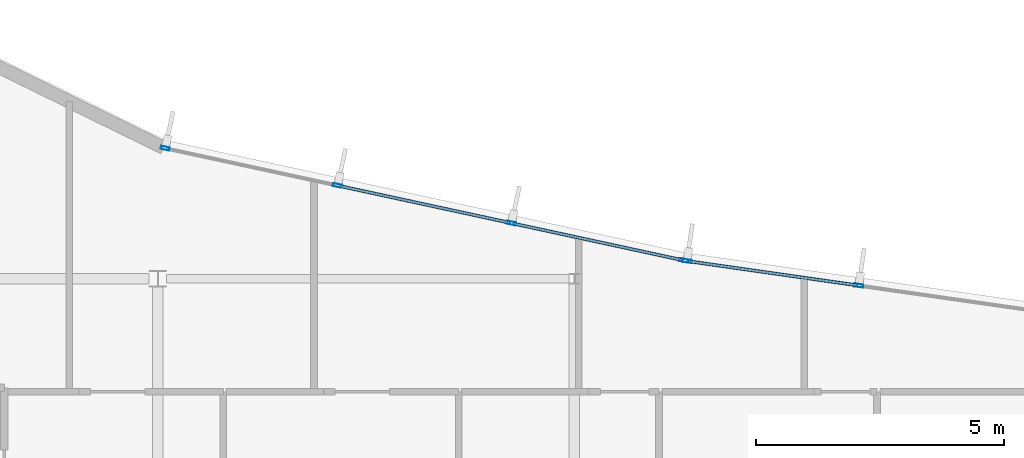
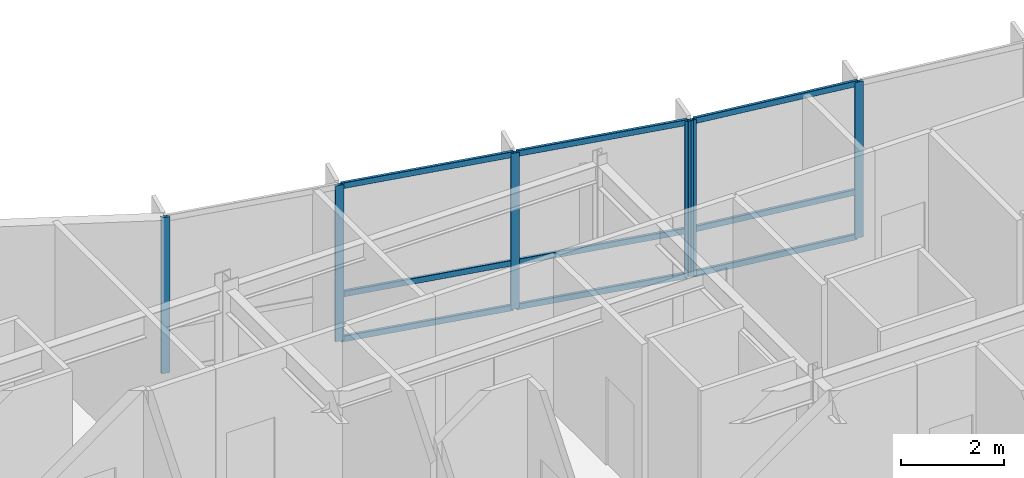
# One storey, part 6 of 16: 15 members, 2 elements without a shape of their own.
"""IFC4 building model written with IfcOpenShell, lengths in metres."""

from ifc_helpers import new_model, si_unit, direction, frame, origin, origin_2d, place, context, subcontext, project, spatial, hollow_rectangle, extrude, material, layer, layer_set, material_profile, profile_set, type_object, element, aggregate, save


model = new_model("IFC4")

# Units and contexts
model_context = context("Model", 3, precision=1e-05, world=origin(), true_north=direction((0.0, 1.0)))
body_context = subcontext(model_context, "Body", "Model", "MODEL_VIEW")
ifc_project = project(units=[si_unit("LENGTHUNIT", "METRE"), si_unit("AREAUNIT", "SQUARE_METRE"), si_unit("VOLUMEUNIT", "CUBIC_METRE"), si_unit("PLANEANGLEUNIT", "RADIAN"), si_unit("MASSUNIT", "GRAM", prefix="KILO")], contexts=[model_context])

# Site, building, storey
site_placement = place(None, origin())
site = spatial("IfcSite", under=ifc_project, at=site_placement, CompositionType="ELEMENT")
building_placement = place(site_placement, origin())
building = spatial("IfcBuilding", under=site, at=building_placement, Name="Varnakote Quay Hospital", CompositionType="ELEMENT")
storey_placement = place(building_placement, frame((0.0, 0.0, 292.10009765625)))
storey = spatial("IfcBuildingStorey", under=building, at=storey_placement, Name="L72", CompositionType="ELEMENT", Elevation=292.10009765625)

# Curtain wall, members
ifc_material_1 = material(Name="Anodised aluminium 6063-T6 Bronze", Category="aluminium")
ifc_layer = layer(ifc_material_1, 0.235107421875)
ifc_layer_set = layer_set([ifc_layer], Name="Anodised aluminium 6063-T6 Bronze")
curtain_wall_type = type_object("IfcCurtainWallType", Name="CW-SYS-5", PredefinedType="NOTDEFINED", material=ifc_layer_set)
curtain_wall_1_placement = place(storey_placement, origin())
curtain_wall_1 = element("IfcCurtainWall", 1, at=curtain_wall_1_placement, inside=storey, type_object=curtain_wall_type, Name="L72 Unitised Bronze Curtain Wall 1", PredefinedType="NOTDEFINED")
ifc_material_2 = material(Name="Anodised aluminium 6063-T6 Bronze", Category="aluminium")
ifc_material_profile_1 = material_profile(ifc_material_2, hollow_rectangle(XDim=0.06494140625, YDim=0.179931640625, WallThickness=0.00390625, InnerFilletRadius=0.00390625, OuterFilletRadius=0.008056640625, at=origin_2d()), Name="CW-MULL-180x65")
ifc_profile_set_1 = profile_set([ifc_material_profile_1], Name="Anodised aluminium 6063-T6 Bronze")
member_type_1 = type_object("IfcMemberType", Name="CW-MULL-180x65", PredefinedType="MULLION", material=ifc_profile_set_1)
member_1_placement = place(storey_placement, frame((30.9423828125, 28.662109375, 0.0), z_axis=(0.0, 0.0, 1.0), x_axis=(-0.141571876691, -0.989927979062, 0.0)))
member_1 = element("IfcMember", 2, at=member_1_placement, type_object=member_type_1, Name="-5-L72-1 mullion 3", PredefinedType="MULLION", context=body_context, shape_type="SweptSolid", body=[
    extrude(hollow_rectangle(XDim=0.06494140625, YDim=0.179931640625, WallThickness=0.00390625, InnerFilletRadius=0.00390625, OuterFilletRadius=0.008056640625, at=origin_2d()), origin(), (0.0, 0.0, 1.0), 3.7099609375),
])
member_2_placement = place(storey_placement, frame((27.475830078125, 29.15771484375, 0.0), z_axis=(0.0, 0.0, 1.0), x_axis=(-0.141571876691, -0.989927979062, 0.0)))
member_2 = element("IfcMember", 3, at=member_2_placement, type_object=member_type_1, Name="-5-L72-1 mullion 4", PredefinedType="MULLION", context=body_context, shape_type="SweptSolid", body=[
    extrude(hollow_rectangle(XDim=0.06494140625, YDim=0.179931640625, WallThickness=0.00390625, InnerFilletRadius=0.00390625, OuterFilletRadius=0.008056640625, at=origin_2d()), origin(), (0.0, 0.0, 1.0), 3.7099609375),
])

curtain_wall_2_placement = place(storey_placement, origin())
curtain_wall_2 = element("IfcCurtainWall", 4, at=curtain_wall_2_placement, inside=storey, type_object=curtain_wall_type, Name="L72 Unitised Bronze Curtain Wall 2", PredefinedType="NOTDEFINED")
member_3_placement = place(storey_placement, frame((27.411865234375, 29.169189453125, 0.0), z_axis=(0.0, 0.0, 1.0), x_axis=(-0.211407815974, -0.97739794114, 0.0)))
member_3 = element("IfcMember", 5, at=member_3_placement, type_object=member_type_1, Name="-5-L72-2 mullion 1", PredefinedType="MULLION", context=body_context, shape_type="SweptSolid", body=[
    extrude(hollow_rectangle(XDim=0.06494140625, YDim=0.179931640625, WallThickness=0.00390625, InnerFilletRadius=0.00390625, OuterFilletRadius=0.008056640625, at=origin_2d()), origin(), (0.0, 0.0, 1.0), 3.7099609375),
])
member_4_placement = place(storey_placement, frame((23.93408203125, 29.92138671875, 0.0), z_axis=(0.0, 0.0, 1.0), x_axis=(-0.211407815974, -0.97739794114, 0.0)))
member_4 = element("IfcMember", 6, at=member_4_placement, type_object=member_type_1, Name="-5-L72-2 mullion 2", PredefinedType="MULLION", context=body_context, shape_type="SweptSolid", body=[
    extrude(hollow_rectangle(XDim=0.06494140625, YDim=0.179931640625, WallThickness=0.00390625, InnerFilletRadius=0.00390625, OuterFilletRadius=0.008056640625, at=origin_2d()), origin(), (0.0, 0.0, 1.0), 3.7099609375),
])
member_5_placement = place(storey_placement, frame((20.424560546875, 30.6806640625, 0.0), z_axis=(0.0, 0.0, 1.0), x_axis=(-0.211407815974, -0.97739794114, 0.0)))
member_5 = element("IfcMember", 7, at=member_5_placement, type_object=member_type_1, Name="-5-L72-2 mullion 3", PredefinedType="MULLION", context=body_context, shape_type="SweptSolid", body=[
    extrude(hollow_rectangle(XDim=0.06494140625, YDim=0.179931640625, WallThickness=0.00390625, InnerFilletRadius=0.00390625, OuterFilletRadius=0.008056640625, at=origin_2d()), origin(), (0.0, 0.0, 1.0), 3.7099609375),
])
member_6_placement = place(storey_placement, frame((16.94677734375, 31.432861328125, 0.0), z_axis=(0.0, 0.0, 1.0), x_axis=(-0.211407815974, -0.97739794114, 0.0)))
member_6 = element("IfcMember", 8, at=member_6_placement, type_object=member_type_1, Name="-5-L72-2 mullion 4", PredefinedType="MULLION", context=body_context, shape_type="SweptSolid", body=[
    extrude(hollow_rectangle(XDim=0.06494140625, YDim=0.179931640625, WallThickness=0.00390625, InnerFilletRadius=0.00390625, OuterFilletRadius=0.008056640625, at=origin_2d()), origin(), (0.0, 0.0, 1.0), 3.7099609375),
])

# Member
ifc_material_3 = material(Name="Anodised aluminium 6063-T6 Bronze", Category="aluminium")
ifc_material_profile_2 = material_profile(ifc_material_3, hollow_rectangle(XDim=0.06494140625, YDim=0.139892578125, WallThickness=0.00390625, InnerFilletRadius=0.00390625, OuterFilletRadius=0.007568359375, at=origin_2d()), Name="CW-TRAN-140x65")
ifc_profile_set_2 = profile_set([ifc_material_profile_2], Name="Anodised aluminium 6063-T6 Bronze")
member_type_2 = type_object("IfcMemberType", Name="CW-TRAN-140x65", PredefinedType="USERDEFINED", material=ifc_profile_set_2)
member_7_placement = place(storey_placement, frame((30.910400390625, 28.666748046875, 0.032470703125), z_axis=(-0.989938124929, 0.141500914528, 0.0), x_axis=(-0.141500914528, -0.989938124929, 0.0)))
member_7 = element("IfcMember", 9, at=member_7_placement, type_object=member_type_2, Name="-5-L72-1 transom 3.1", ObjectType="TRANSOM", PredefinedType="USERDEFINED", context=body_context, shape_type="SweptSolid", body=[
    extrude(hollow_rectangle(XDim=0.06494140625, YDim=0.139892578125, WallThickness=0.00390625, InnerFilletRadius=0.00390625, OuterFilletRadius=0.007568359375, at=origin_2d()), origin(), (0.0, 0.0, 1.0), 3.43701171875),
])

member_8_placement = place(storey_placement, frame((30.910400390625, 28.666748046875, 1.099853515625), z_axis=(-0.989938124929, 0.141500914528, 0.0), x_axis=(-0.141500914528, -0.989938124929, 0.0)))
member_8 = element("IfcMember", 10, at=member_8_placement, type_object=member_type_2, Name="-5-L72-1 transom 3.2", ObjectType="TRANSOM", PredefinedType="USERDEFINED", context=body_context, shape_type="SweptSolid", body=[
    extrude(hollow_rectangle(XDim=0.06494140625, YDim=0.139892578125, WallThickness=0.00390625, InnerFilletRadius=0.00390625, OuterFilletRadius=0.007568359375, at=origin_2d()), origin(), (0.0, 0.0, 1.0), 3.43701171875),
])

member_9_placement = place(storey_placement, frame((30.910400390625, 28.666748046875, 3.677490234375), z_axis=(-0.989938124929, 0.141500914528, 0.0), x_axis=(-0.141500914528, -0.989938124929, 0.0)))
member_9 = element("IfcMember", 11, at=member_9_placement, type_object=member_type_2, Name="-5-L72-1 transom 3.3", ObjectType="TRANSOM", PredefinedType="USERDEFINED", context=body_context, shape_type="SweptSolid", body=[
    extrude(hollow_rectangle(XDim=0.06494140625, YDim=0.139892578125, WallThickness=0.00390625, InnerFilletRadius=0.00390625, OuterFilletRadius=0.007568359375, at=origin_2d()), origin(), (0.0, 0.0, 1.0), 3.43701171875),
])

aggregate(curtain_wall_1, [member_1, member_2, member_7, member_8, member_9])

member_10_placement = place(storey_placement, frame((27.380126953125, 29.176025390625, 0.032470703125), z_axis=(-0.977396604486, 0.211413995608, 0.0), x_axis=(-0.211413995608, -0.977396604486, 0.0)))
member_10 = element("IfcMember", 12, at=member_10_placement, type_object=member_type_2, Name="-5-L72-2 transom 1.1", ObjectType="TRANSOM", PredefinedType="USERDEFINED", context=body_context, shape_type="SweptSolid", body=[
    extrude(hollow_rectangle(XDim=0.06494140625, YDim=0.139892578125, WallThickness=0.00390625, InnerFilletRadius=0.00390625, OuterFilletRadius=0.007568359375, at=origin_2d()), origin(), (0.0, 0.0, 1.0), 3.4931640625),
])

member_11_placement = place(storey_placement, frame((27.380126953125, 29.176025390625, 1.099853515625), z_axis=(-0.977396604486, 0.211413995608, 0.0), x_axis=(-0.211413995608, -0.977396604486, 0.0)))
member_11 = element("IfcMember", 13, at=member_11_placement, type_object=member_type_2, Name="-5-L72-2 transom 1.2", ObjectType="TRANSOM", PredefinedType="USERDEFINED", context=body_context, shape_type="SweptSolid", body=[
    extrude(hollow_rectangle(XDim=0.06494140625, YDim=0.139892578125, WallThickness=0.00390625, InnerFilletRadius=0.00390625, OuterFilletRadius=0.007568359375, at=origin_2d()), origin(), (0.0, 0.0, 1.0), 3.4931640625),
])

member_12_placement = place(storey_placement, frame((27.380126953125, 29.176025390625, 3.677490234375), z_axis=(-0.977396604486, 0.211413995608, 0.0), x_axis=(-0.211413995608, -0.977396604486, 0.0)))
member_12 = element("IfcMember", 14, at=member_12_placement, type_object=member_type_2, Name="-5-L72-2 transom 1.3", ObjectType="TRANSOM", PredefinedType="USERDEFINED", context=body_context, shape_type="SweptSolid", body=[
    extrude(hollow_rectangle(XDim=0.06494140625, YDim=0.139892578125, WallThickness=0.00390625, InnerFilletRadius=0.00390625, OuterFilletRadius=0.007568359375, at=origin_2d()), origin(), (0.0, 0.0, 1.0), 3.4931640625),
])

member_13_placement = place(storey_placement, frame((23.90234375, 29.928466796875, 0.032470703125), z_axis=(-0.977398313089, 0.211406096342, 0.0), x_axis=(-0.211406096342, -0.977398313089, 0.0)))
member_13 = element("IfcMember", 15, at=member_13_placement, type_object=member_type_2, Name="-5-L72-2 transom 2.1", ObjectType="TRANSOM", PredefinedType="USERDEFINED", context=body_context, shape_type="SweptSolid", body=[
    extrude(hollow_rectangle(XDim=0.06494140625, YDim=0.139892578125, WallThickness=0.00390625, InnerFilletRadius=0.00390625, OuterFilletRadius=0.007568359375, at=origin_2d()), origin(), (0.0, 0.0, 1.0), 3.525634765625),
])

member_14_placement = place(storey_placement, frame((23.90234375, 29.928466796875, 1.099853515625), z_axis=(-0.977398313089, 0.211406096342, 0.0), x_axis=(-0.211406096342, -0.977398313089, 0.0)))
member_14 = element("IfcMember", 16, at=member_14_placement, type_object=member_type_2, Name="-5-L72-2 transom 2.2", ObjectType="TRANSOM", PredefinedType="USERDEFINED", context=body_context, shape_type="SweptSolid", body=[
    extrude(hollow_rectangle(XDim=0.06494140625, YDim=0.139892578125, WallThickness=0.00390625, InnerFilletRadius=0.00390625, OuterFilletRadius=0.007568359375, at=origin_2d()), origin(), (0.0, 0.0, 1.0), 3.525634765625),
])

member_15_placement = place(storey_placement, frame((23.90234375, 29.928466796875, 3.677490234375), z_axis=(-0.977398313089, 0.211406096342, 0.0), x_axis=(-0.211406096342, -0.977398313089, 0.0)))
member_15 = element("IfcMember", 17, at=member_15_placement, type_object=member_type_2, Name="-5-L72-2 transom 2.3", ObjectType="TRANSOM", PredefinedType="USERDEFINED", context=body_context, shape_type="SweptSolid", body=[
    extrude(hollow_rectangle(XDim=0.06494140625, YDim=0.139892578125, WallThickness=0.00390625, InnerFilletRadius=0.00390625, OuterFilletRadius=0.007568359375, at=origin_2d()), origin(), (0.0, 0.0, 1.0), 3.525634765625),
])

aggregate(curtain_wall_2, [member_3, member_4, member_5, member_6, member_10, member_11, member_12, member_13, member_14, member_15])

save(model, "model.ifc")
